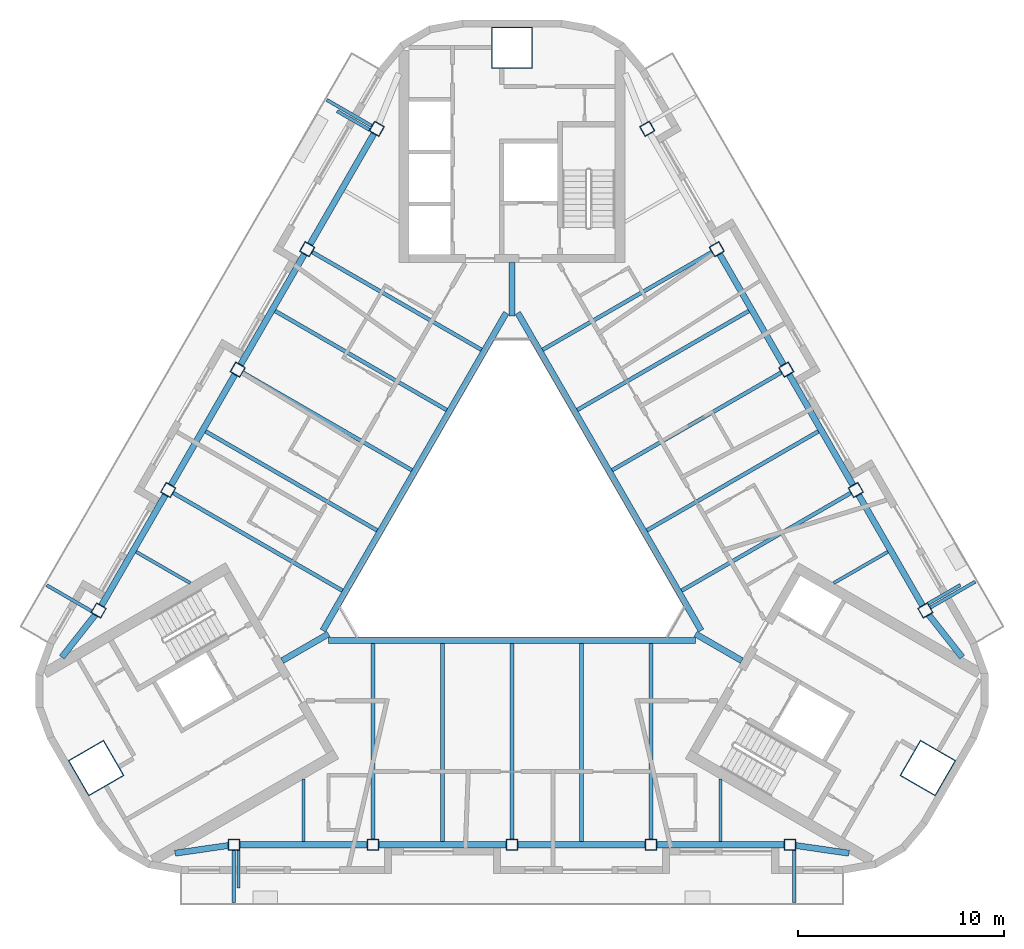
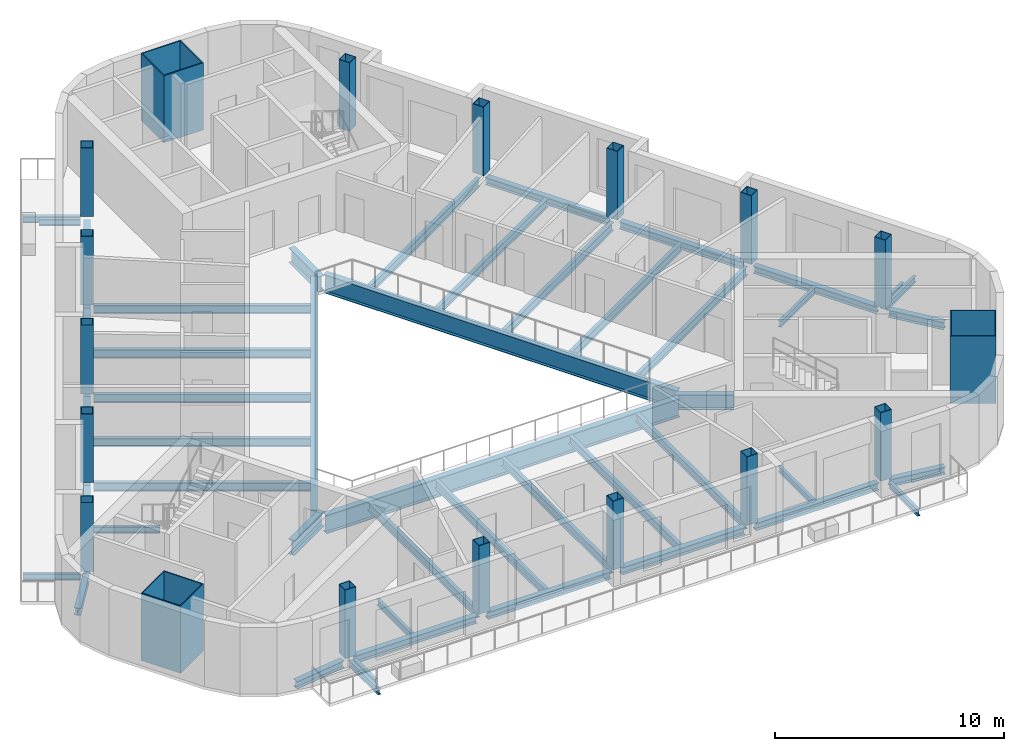
# One storey, part 1 of 12: 48 beams, 18 columns.
"""IFC4 building model written with IfcOpenShell, lengths in metres."""

from ifc_helpers import new_model, si_unit, direction, frame, origin, origin_2d, place, context, subcontext, project, spatial, rectangle, hollow_rectangle, i_section, extrude, boolean, halfspace, material, material_profile, profile_set, type_object, element, save


model = new_model("IFC4")

# Units and contexts
model_context = context("Model", 3, precision=1e-05, world=origin(), true_north=direction((0.0, 1.0)))
body_context = subcontext(model_context, "Body", "Model", "MODEL_VIEW")
ifc_project = project(units=[si_unit("LENGTHUNIT", "METRE"), si_unit("AREAUNIT", "SQUARE_METRE"), si_unit("VOLUMEUNIT", "CUBIC_METRE"), si_unit("PLANEANGLEUNIT", "RADIAN"), si_unit("MASSUNIT", "GRAM", prefix="KILO")], contexts=[model_context])

# Site, building, storey
site_placement = place(None, origin())
site = spatial("IfcSite", under=ifc_project, at=site_placement, CompositionType="ELEMENT")
building_placement = place(site_placement, origin())
building = spatial("IfcBuilding", under=site, at=building_placement, Name="Apuvela Tower Hotel", CompositionType="ELEMENT")
storey_placement = place(building_placement, frame((0.0, 0.0, 305.89990234375)))
storey = spatial("IfcBuildingStorey", under=building, at=storey_placement, Name="L76", CompositionType="ELEMENT", Elevation=305.89990234375)

# Columns
ifc_material_1 = material(Name="Steel S460", Category="steel")
ifc_material_profile_1 = material_profile(ifc_material_1, hollow_rectangle(XDim=2.0, YDim=2.0, WallThickness=0.050048828125, at=origin_2d()), Name="BOX 2000x2000x50")
ifc_material_2 = material(Name="Concrete C80/95", Category="concrete")
ifc_material_profile_2 = material_profile(ifc_material_2, rectangle(XDim=1.89990234375, YDim=1.89990234375, at=origin_2d()), Name="Concrete C80/95 infill")
ifc_profile_set_1 = profile_set([ifc_material_profile_1, ifc_material_profile_2], Name="Steel S460")
column_type_1 = type_object("IfcColumnType", Name="STR-MC mega column BOX 2000x2000x50", PredefinedType="COLUMN", material=ifc_profile_set_1)
for number, where, z_axis, x_axis, name in (
    (1, (0.0, 23.34130859375, 0.0), (0.0, 0.0, 1.0), (1.0, 0.0, 0.0), "Mega column MC4 N"),
    (2, (-20.214111328125, -11.670654296875, 0.0), (0.0, 0.0, 1.0), (-0.5, 0.866025403784, 0.0), "Mega column MC4 SW"),
    (3, (20.214111328125, -11.670654296875, 0.0), (0.0, 0.0, 1.0), (0.5, 0.866025403784, 0.0), "Mega column MC4 SE"),
):
    element("IfcColumn", number, at=place(storey_placement, frame(where, z_axis=z_axis, x_axis=x_axis)), inside=storey, type_object=column_type_1, Name=name, PredefinedType="COLUMN", context=body_context, shape_type="SweptSolid", body=[
        boolean("DIFFERENCE", extrude(hollow_rectangle(XDim=2.0, YDim=2.0, WallThickness=0.050048828125, at=origin_2d()), origin(), (0.0, 0.0, 1.0), 3.7001953125), halfspace(frame((0.0, 0.0, 3.5869140625), z_axis=(0.0, 0.0, 1.0), x_axis=(1.0, 0.0, 0.0)), False)),
    ])
ifc_material_profile_3 = material_profile(ifc_material_1, hollow_rectangle(XDim=0.550048828125, YDim=0.550048828125, WallThickness=0.02490234375, at=origin_2d()), Name="BOX 550x550x25")
ifc_material_profile_4 = material_profile(ifc_material_2, rectangle(XDim=0.5, YDim=0.5, at=origin_2d()), Name="Concrete C80/95 infill")
ifc_profile_set_2 = profile_set([ifc_material_profile_3, ifc_material_profile_4], Name="Steel S460")
column_type_2 = type_object("IfcColumnType", Name="STR-PC perimeter column BOX 550x550x25", PredefinedType="COLUMN", material=ifc_profile_set_2)
column_1_placement = place(storey_placement, frame((-13.517822265625, -15.39453125, 0.0), z_axis=(0.0, 0.0, 1.0), x_axis=(-1.0, 0.0, 0.0)))
element("IfcColumn", 4, at=column_1_placement, inside=storey, type_object=column_type_2, Name="Perimeter column C7 S1", PredefinedType="COLUMN", context=body_context, shape_type="SweptSolid", body=[
    boolean("DIFFERENCE", extrude(hollow_rectangle(XDim=0.550048828125, YDim=0.550048828125, WallThickness=0.02490234375, at=origin_2d()), origin(), (0.0, 0.0, 1.0), 3.7001953125), halfspace(frame((0.0, 0.0, 3.660400390625), z_axis=(0.0, 0.0, 1.0), x_axis=(1.0, 0.0, 0.0)), False)),
])
column_2_placement = place(storey_placement, frame((-6.7587890625, -15.39453125, 0.0), z_axis=(0.0, 0.0, 1.0), x_axis=(-1.0, 0.0, 0.0)))
element("IfcColumn", 5, at=column_2_placement, inside=storey, type_object=column_type_2, Name="Perimeter column C7 S2", PredefinedType="COLUMN", context=body_context, shape_type="SweptSolid", body=[
    boolean("DIFFERENCE", extrude(hollow_rectangle(XDim=0.550048828125, YDim=0.550048828125, WallThickness=0.02490234375, at=origin_2d()), origin(), (0.0, 0.0, 1.0), 3.7001953125), halfspace(frame((0.0, 0.0, 3.666259765625), z_axis=(0.0, 0.0, 1.0), x_axis=(1.0, 0.0, 0.0)), False)),
])
column_3_placement = place(storey_placement, frame((0.0, -15.39453125, 0.0), z_axis=(0.0, 0.0, 1.0), x_axis=(-1.0, 0.0, 0.0)))
element("IfcColumn", 6, at=column_3_placement, inside=storey, type_object=column_type_2, Name="Perimeter column C7 S3", PredefinedType="COLUMN", context=body_context, shape_type="SweptSolid", body=[
    boolean("DIFFERENCE", extrude(hollow_rectangle(XDim=0.550048828125, YDim=0.550048828125, WallThickness=0.02490234375, at=origin_2d()), origin(), (0.0, 0.0, 1.0), 3.7001953125), halfspace(frame((0.0, 0.0, 3.668701171875), z_axis=(0.0, 0.0, 1.0), x_axis=(1.0, 0.0, 0.0)), False)),
])
column_4_placement = place(storey_placement, frame((6.7587890625, -15.39453125, 0.0), z_axis=(0.0, 0.0, 1.0), x_axis=(-1.0, 0.0, 0.0)))
element("IfcColumn", 7, at=column_4_placement, inside=storey, type_object=column_type_2, Name="Perimeter column C7 S4", PredefinedType="COLUMN", context=body_context, shape_type="SweptSolid", body=[
    boolean("DIFFERENCE", extrude(hollow_rectangle(XDim=0.550048828125, YDim=0.550048828125, WallThickness=0.02490234375, at=origin_2d()), origin(), (0.0, 0.0, 1.0), 3.7001953125), halfspace(frame((0.0, 0.0, 3.666259765625), z_axis=(0.0, 0.0, 1.0), x_axis=(1.0, 0.0, 0.0)), False)),
])
for number, where, z_axis, x_axis, name in (
    (8, (13.517822265625, -15.39453125, 0.0), (0.0, 0.0, 1.0), (-1.0, 0.0, 0.0), "Perimeter column C7 S5"),
    (9, (20.091064453125, -4.009521484375, 0.0), (0.0, 0.0, 1.0), (-0.5, 0.866025403784, 0.0), "Perimeter column C7 NE1"),
):
    element("IfcColumn", number, at=place(storey_placement, frame(where, z_axis=z_axis, x_axis=x_axis)), inside=storey, type_object=column_type_2, Name=name, PredefinedType="COLUMN", context=body_context, shape_type="SweptSolid", body=[
        boolean("DIFFERENCE", extrude(hollow_rectangle(XDim=0.550048828125, YDim=0.550048828125, WallThickness=0.02490234375, at=origin_2d()), origin(), (0.0, 0.0, 1.0), 3.7001953125), halfspace(frame((0.0, 0.0, 3.660400390625), z_axis=(0.0, 0.0, 1.0), x_axis=(1.0, 0.0, 0.0)), False)),
    ])
column_5_placement = place(storey_placement, frame((16.71142578125, 1.843994140625, 0.0), z_axis=(0.0, 0.0, 1.0), x_axis=(-0.5, 0.866025403784, 0.0)))
element("IfcColumn", 10, at=column_5_placement, inside=storey, type_object=column_type_2, Name="Perimeter column C7 NE2", PredefinedType="COLUMN", context=body_context, shape_type="SweptSolid", body=[
    boolean("DIFFERENCE", extrude(hollow_rectangle(XDim=0.550048828125, YDim=0.550048828125, WallThickness=0.02490234375, at=origin_2d()), origin(), (0.0, 0.0, 1.0), 3.7001953125), halfspace(frame((0.0, 0.0, 3.666259765625), z_axis=(0.0, 0.0, 1.0), x_axis=(1.0, 0.0, 0.0)), False)),
])
column_6_placement = place(storey_placement, frame((13.33203125, 7.697265625, 0.0), z_axis=(0.0, 0.0, 1.0), x_axis=(-0.5, 0.866025403784, 0.0)))
element("IfcColumn", 11, at=column_6_placement, inside=storey, type_object=column_type_2, Name="Perimeter column C7 NE3", PredefinedType="COLUMN", context=body_context, shape_type="SweptSolid", body=[
    boolean("DIFFERENCE", extrude(hollow_rectangle(XDim=0.550048828125, YDim=0.550048828125, WallThickness=0.02490234375, at=origin_2d()), origin(), (0.0, 0.0, 1.0), 3.7001953125), halfspace(frame((0.0, 0.0, 3.668701171875), z_axis=(0.0, 0.0, 1.0), x_axis=(1.0, 0.0, 0.0)), False)),
])
column_7_placement = place(storey_placement, frame((9.95263671875, 13.550537109375, 0.0), z_axis=(0.0, 0.0, 1.0), x_axis=(-0.5, 0.866025403784, 0.0)))
element("IfcColumn", 12, at=column_7_placement, inside=storey, type_object=column_type_2, Name="Perimeter column C7 NE4", PredefinedType="COLUMN", context=body_context, shape_type="SweptSolid", body=[
    boolean("DIFFERENCE", extrude(hollow_rectangle(XDim=0.550048828125, YDim=0.550048828125, WallThickness=0.02490234375, at=origin_2d()), origin(), (0.0, 0.0, 1.0), 3.7001953125), halfspace(frame((0.0, 0.0, 3.666259765625), z_axis=(0.0, 0.0, 1.0), x_axis=(1.0, 0.0, 0.0)), False)),
])
for number, where, z_axis, x_axis, name in (
    (13, (6.5732421875, 19.404052734375, 0.0), (0.0, 0.0, 1.0), (-0.5, 0.866025403784, 0.0), "Perimeter column C7 NE5"),
    (14, (-6.5732421875, 19.404052734375, 0.0), (0.0, 0.0, 1.0), (0.5, 0.866025403784, 0.0), "Perimeter column C7 NW1"),
):
    element("IfcColumn", number, at=place(storey_placement, frame(where, z_axis=z_axis, x_axis=x_axis)), inside=storey, type_object=column_type_2, Name=name, PredefinedType="COLUMN", context=body_context, shape_type="SweptSolid", body=[
        boolean("DIFFERENCE", extrude(hollow_rectangle(XDim=0.550048828125, YDim=0.550048828125, WallThickness=0.02490234375, at=origin_2d()), origin(), (0.0, 0.0, 1.0), 3.7001953125), halfspace(frame((0.0, 0.0, 3.660400390625), z_axis=(0.0, 0.0, 1.0), x_axis=(1.0, 0.0, 0.0)), False)),
    ])
column_8_placement = place(storey_placement, frame((-9.95263671875, 13.550537109375, 0.0), z_axis=(0.0, 0.0, 1.0), x_axis=(0.5, 0.866025403784, 0.0)))
element("IfcColumn", 15, at=column_8_placement, inside=storey, type_object=column_type_2, Name="Perimeter column C7 NW2", PredefinedType="COLUMN", context=body_context, shape_type="SweptSolid", body=[
    boolean("DIFFERENCE", extrude(hollow_rectangle(XDim=0.550048828125, YDim=0.550048828125, WallThickness=0.02490234375, at=origin_2d()), origin(), (0.0, 0.0, 1.0), 3.7001953125), halfspace(frame((0.0, 0.0, 3.666259765625), z_axis=(0.0, 0.0, 1.0), x_axis=(1.0, 0.0, 0.0)), False)),
])
column_9_placement = place(storey_placement, frame((-13.33203125, 7.697265625, 0.0), z_axis=(0.0, 0.0, 1.0), x_axis=(0.5, 0.866025403784, 0.0)))
element("IfcColumn", 16, at=column_9_placement, inside=storey, type_object=column_type_2, Name="Perimeter column C7 NW3", PredefinedType="COLUMN", context=body_context, shape_type="SweptSolid", body=[
    boolean("DIFFERENCE", extrude(hollow_rectangle(XDim=0.550048828125, YDim=0.550048828125, WallThickness=0.02490234375, at=origin_2d()), origin(), (0.0, 0.0, 1.0), 3.7001953125), halfspace(frame((0.0, 0.0, 3.668701171875), z_axis=(0.0, 0.0, 1.0), x_axis=(1.0, 0.0, 0.0)), False)),
])
column_10_placement = place(storey_placement, frame((-16.71142578125, 1.843994140625, 0.0), z_axis=(0.0, 0.0, 1.0), x_axis=(0.5, 0.866025403784, 0.0)))
element("IfcColumn", 17, at=column_10_placement, inside=storey, type_object=column_type_2, Name="Perimeter column C7 NW4", PredefinedType="COLUMN", context=body_context, shape_type="SweptSolid", body=[
    boolean("DIFFERENCE", extrude(hollow_rectangle(XDim=0.550048828125, YDim=0.550048828125, WallThickness=0.02490234375, at=origin_2d()), origin(), (0.0, 0.0, 1.0), 3.7001953125), halfspace(frame((0.0, 0.0, 3.666259765625), z_axis=(0.0, 0.0, 1.0), x_axis=(1.0, 0.0, 0.0)), False)),
])
column_11_placement = place(storey_placement, frame((-20.091064453125, -4.009521484375, 0.0), z_axis=(0.0, 0.0, 1.0), x_axis=(0.5, 0.866025403784, 0.0)))
element("IfcColumn", 18, at=column_11_placement, inside=storey, type_object=column_type_2, Name="Perimeter column C7 NW5", PredefinedType="COLUMN", context=body_context, shape_type="SweptSolid", body=[
    boolean("DIFFERENCE", extrude(hollow_rectangle(XDim=0.550048828125, YDim=0.550048828125, WallThickness=0.02490234375, at=origin_2d()), origin(), (0.0, 0.0, 1.0), 3.7001953125), halfspace(frame((0.0, 0.0, 3.660400390625), z_axis=(0.0, 0.0, 1.0), x_axis=(1.0, 0.0, 0.0)), False)),
])

# Beams
ifc_material_3 = material(Name="Steel S355", Category="steel")
ifc_material_profile_5 = material_profile(ifc_material_3, i_section(OverallWidth=0.159912109375, OverallDepth=0.330078125, WebThickness=0.007568359375, FlangeThickness=0.011474609375, at=origin_2d()), Name="IPE 330")
ifc_profile_set_3 = profile_set([ifc_material_profile_5], Name="Steel S355")
beam_type_1 = type_object("IfcBeamType", Name="ENV-BALCONY-BEAM-IPE330", PredefinedType="BEAM", material=ifc_profile_set_3)
beam_1_placement = place(storey_placement, frame((-13.517822265625, -15.669677734375, -0.31494140625), z_axis=(0.0, -1.0, 0.0), x_axis=(1.0, 0.0, 0.0)))
element("IfcBeam", 19, at=beam_1_placement, inside=storey, type_object=beam_type_1, Name="Balcony cantilever beam S1 L76", PredefinedType="BEAM", context=body_context, shape_type="SweptSolid", body=[
    extrude(i_section(OverallWidth=0.159912109375, OverallDepth=0.330078125, WebThickness=0.007568359375, FlangeThickness=0.011474609375, at=origin_2d()), origin(), (0.0, 0.0, 1.0), 2.52490234375),
])
beam_2_placement = place(storey_placement, frame((-13.2978515625, -15.669677734375, -0.31494140625), z_axis=(0.0, -1.0, 0.0), x_axis=(1.0, 0.0, 0.0)))
element("IfcBeam", 20, at=beam_2_placement, inside=storey, type_object=beam_type_1, Name="Balcony cantilever beam S2 L76", PredefinedType="BEAM", context=body_context, shape_type="SweptSolid", body=[
    extrude(i_section(OverallWidth=0.159912109375, OverallDepth=0.330078125, WebThickness=0.007568359375, FlangeThickness=0.011474609375, at=origin_2d()), origin(), (0.0, 0.0, 1.0), 1.824951171875),
])
for number, where, z_axis, x_axis, name in (
    (21, (13.7177734375, -15.669677734375, -0.31494140625), (0.0, -1.0, 0.0), (1.0, 0.0, 0.0), "Balcony cantilever beam S3 L76"),
    (22, (20.3291015625, -3.8720703125, -0.31494140625), (0.866039067339, 0.499976333282, 0.0), (-0.499976333282, 0.866039067339, 0.0), "Balcony cantilever beam NE1 L76"),
):
    element("IfcBeam", number, at=place(storey_placement, frame(where, z_axis=z_axis, x_axis=x_axis)), inside=storey, type_object=beam_type_1, Name=name, PredefinedType="BEAM", context=body_context, shape_type="SweptSolid", body=[
        extrude(i_section(OverallWidth=0.159912109375, OverallDepth=0.330078125, WebThickness=0.007568359375, FlangeThickness=0.011474609375, at=origin_2d()), origin(), (0.0, 0.0, 1.0), 2.52490234375),
    ])
beam_3_placement = place(storey_placement, frame((20.218994140625, -3.681396484375, -0.31494140625), z_axis=(0.866011828767, 0.500023511883, 0.0), x_axis=(-0.500023511883, 0.866011828767, 0.0)))
element("IfcBeam", 23, at=beam_3_placement, inside=storey, type_object=beam_type_1, Name="Balcony cantilever beam NE2 L76", PredefinedType="BEAM", context=body_context, shape_type="SweptSolid", body=[
    extrude(i_section(OverallWidth=0.159912109375, OverallDepth=0.330078125, WebThickness=0.007568359375, FlangeThickness=0.011474609375, at=origin_2d()), origin(), (0.0, 0.0, 1.0), 1.8251953125),
])
beam_4_placement = place(storey_placement, frame((-6.811279296875, 19.54150390625, -0.31494140625), z_axis=(-0.866039067339, 0.499976333282, 0.0), x_axis=(-0.499976333282, -0.866039067339, 0.0)))
element("IfcBeam", 24, at=beam_4_placement, inside=storey, type_object=beam_type_1, Name="Balcony cantilever beam NW1 L76", PredefinedType="BEAM", context=body_context, shape_type="SweptSolid", body=[
    extrude(i_section(OverallWidth=0.159912109375, OverallDepth=0.330078125, WebThickness=0.007568359375, FlangeThickness=0.011474609375, at=origin_2d()), origin(), (0.0, 0.0, 1.0), 2.52490234375),
])
beam_5_placement = place(storey_placement, frame((-6.92138671875, 19.35107421875, -0.31494140625), z_axis=(-0.866036312054, 0.499981105847, 0.0), x_axis=(-0.499981105847, -0.866036312054, 0.0)))
element("IfcBeam", 25, at=beam_5_placement, inside=storey, type_object=beam_type_1, Name="Balcony cantilever beam NW2 L76", PredefinedType="BEAM", context=body_context, shape_type="SweptSolid", body=[
    extrude(i_section(OverallWidth=0.159912109375, OverallDepth=0.330078125, WebThickness=0.007568359375, FlangeThickness=0.011474609375, at=origin_2d()), origin(), (0.0, 0.0, 1.0), 1.82470703125),
])
beam_6_placement = place(storey_placement, frame((-20.42919921875, -4.045166015625, -0.31494140625), z_axis=(-0.866014894461, 0.50001820224, 0.0), x_axis=(-0.50001820224, -0.866014894461, 0.0)))
element("IfcBeam", 26, at=beam_6_placement, inside=storey, type_object=beam_type_1, Name="Balcony cantilever beam NW3 L76", PredefinedType="BEAM", context=body_context, shape_type="SweptSolid", body=[
    extrude(i_section(OverallWidth=0.159912109375, OverallDepth=0.330078125, WebThickness=0.007568359375, FlangeThickness=0.011474609375, at=origin_2d()), origin(), (0.0, 0.0, 1.0), 2.52490234375),
])
ifc_material_profile_6 = material_profile(ifc_material_3, i_section(OverallWidth=0.159912109375, OverallDepth=0.330078125, WebThickness=0.007568359375, FlangeThickness=0.011474609375, at=origin_2d()), Name="IPE 330")
ifc_profile_set_4 = profile_set([ifc_material_profile_6], Name="Steel S355")
beam_type_2 = type_object("IfcBeamType", Name="STR-B floor beam IPE 330", PredefinedType="BEAM", material=ifc_profile_set_4)
for number, where, z_axis, x_axis, name in (
    (27, (18.271240234375, -1.15771484375, -0.31494140625), (-0.86601576024, -0.500016702737, 0.0), (0.500016702737, -0.86601576024, 0.0), "Floor beam B1 NE2"),
    (28, (-18.271240234375, -1.15771484375, -0.31494140625), (0.86601576024, -0.500016702737, 0.0), (0.500016702737, 0.86601576024, 0.0), "Floor beam B1 NW8"),
    (29, (-10.13818359375, -15.24462890625, -0.31494140625), (0.0, 1.0, 0.0), (-1.0, 0.0, 0.0), "Floor beam B1 S2"),
    (30, (10.13818359375, -15.24462890625, -0.31494140625), (0.0, 1.0, 0.0), (-1.0, 0.0, 0.0), "Floor beam B1 S8"),
):
    element("IfcBeam", number, at=place(storey_placement, frame(where, z_axis=z_axis, x_axis=x_axis)), inside=storey, type_object=beam_type_2, Name=name, PredefinedType="BEAM", context=body_context, shape_type="SweptSolid", body=[
        extrude(i_section(OverallWidth=0.159912109375, OverallDepth=0.330078125, WebThickness=0.007568359375, FlangeThickness=0.011474609375, at=origin_2d()), origin(), (0.0, 0.0, 1.0), 3.04052734375),
    ])
ifc_material_profile_7 = material_profile(ifc_material_3, i_section(OverallWidth=0.18994140625, OverallDepth=0.449951171875, WebThickness=0.009521484375, FlangeThickness=0.0146484375, at=origin_2d()), Name="IPE 450")
ifc_profile_set_5 = profile_set([ifc_material_profile_7], Name="Steel S355")
beam_type_3 = type_object("IfcBeamType", Name="STR-B floor beam IPE 450", PredefinedType="BEAM", material=ifc_profile_set_5)
beam_7_placement = place(storey_placement, frame((16.473388671875, 1.706298828125, -0.375), z_axis=(-0.866025092416, -0.500000539305, 0.0), x_axis=(0.500000539305, -0.866025092416, 0.0)))
element("IfcBeam", 31, at=beam_7_placement, inside=storey, type_object=beam_type_3, Name="Floor beam B9 NE3", PredefinedType="BEAM", context=body_context, shape_type="SweptSolid", body=[
    extrude(i_section(OverallWidth=0.18994140625, OverallDepth=0.449951171875, WebThickness=0.009521484375, FlangeThickness=0.0146484375, at=origin_2d()), origin(), (0.0, 0.0, 1.0), 9.49951171875),
])
beam_8_placement = place(storey_placement, frame((14.891845703125, 4.695556640625, -0.375), z_axis=(-0.866022528012, -0.50000498095, 0.0), x_axis=(0.50000498095, -0.866022528012, 0.0)))
element("IfcBeam", 32, at=beam_8_placement, inside=storey, type_object=beam_type_3, Name="Floor beam B9 NE4", PredefinedType="BEAM", context=body_context, shape_type="SweptSolid", body=[
    extrude(i_section(OverallWidth=0.18994140625, OverallDepth=0.449951171875, WebThickness=0.009521484375, FlangeThickness=0.0146484375, at=origin_2d()), origin(), (0.0, 0.0, 1.0), 9.62451171875),
])
beam_9_placement = place(storey_placement, frame((13.093994140625, 7.559814453125, -0.375), z_axis=(-0.866025092416, -0.500000539305, 0.0), x_axis=(0.500000539305, -0.866025092416, 0.0)))
element("IfcBeam", 33, at=beam_9_placement, inside=storey, type_object=beam_type_3, Name="Floor beam B9 NE5", PredefinedType="BEAM", context=body_context, shape_type="SweptSolid", body=[
    extrude(i_section(OverallWidth=0.18994140625, OverallDepth=0.449951171875, WebThickness=0.009521484375, FlangeThickness=0.0146484375, at=origin_2d()), origin(), (0.0, 0.0, 1.0), 9.49951171875),
])
beam_10_placement = place(storey_placement, frame((11.512451171875, 10.549072265625, -0.375), z_axis=(-0.866028869629, -0.499993996932, 0.0), x_axis=(0.499993996932, -0.866028869629, 0.0)))
element("IfcBeam", 34, at=beam_10_placement, inside=storey, type_object=beam_type_3, Name="Floor beam B9 NE6", PredefinedType="BEAM", context=body_context, shape_type="SweptSolid", body=[
    extrude(i_section(OverallWidth=0.18994140625, OverallDepth=0.449951171875, WebThickness=0.009521484375, FlangeThickness=0.0146484375, at=origin_2d()), origin(), (0.0, 0.0, 1.0), 9.62451171875),
])
for number, where, z_axis, x_axis, name in (
    (35, (9.714599609375, 13.4130859375, -0.375), (-0.866031517306, -0.49998941092, 0.0), (0.49998941092, -0.866031517306, 0.0), "Floor beam B9 NE7"),
    (36, (-9.714599609375, 13.4130859375, -0.375), (0.866031517306, -0.49998941092, 0.0), (0.49998941092, 0.866031517306, 0.0), "Floor beam B9 NW3"),
):
    element("IfcBeam", number, at=place(storey_placement, frame(where, z_axis=z_axis, x_axis=x_axis)), inside=storey, type_object=beam_type_3, Name=name, PredefinedType="BEAM", context=body_context, shape_type="SweptSolid", body=[
        extrude(i_section(OverallWidth=0.18994140625, OverallDepth=0.449951171875, WebThickness=0.009521484375, FlangeThickness=0.0146484375, at=origin_2d()), origin(), (0.0, 0.0, 1.0), 9.499755859375),
    ])
beam_11_placement = place(storey_placement, frame((-11.512451171875, 10.549072265625, -0.375), z_axis=(0.866028869629, -0.499993996932, 0.0), x_axis=(0.499993996932, 0.866028869629, 0.0)))
element("IfcBeam", 37, at=beam_11_placement, inside=storey, type_object=beam_type_3, Name="Floor beam B9 NW4", PredefinedType="BEAM", context=body_context, shape_type="SweptSolid", body=[
    extrude(i_section(OverallWidth=0.18994140625, OverallDepth=0.449951171875, WebThickness=0.009521484375, FlangeThickness=0.0146484375, at=origin_2d()), origin(), (0.0, 0.0, 1.0), 9.62451171875),
])
beam_12_placement = place(storey_placement, frame((-13.093994140625, 7.559814453125, -0.375), z_axis=(0.866025092416, -0.500000539305, 0.0), x_axis=(0.500000539305, 0.866025092416, 0.0)))
element("IfcBeam", 38, at=beam_12_placement, inside=storey, type_object=beam_type_3, Name="Floor beam B9 NW5", PredefinedType="BEAM", context=body_context, shape_type="SweptSolid", body=[
    extrude(i_section(OverallWidth=0.18994140625, OverallDepth=0.449951171875, WebThickness=0.009521484375, FlangeThickness=0.0146484375, at=origin_2d()), origin(), (0.0, 0.0, 1.0), 9.49951171875),
])
beam_13_placement = place(storey_placement, frame((-14.891845703125, 4.695556640625, -0.375), z_axis=(0.866022528012, -0.50000498095, 0.0), x_axis=(0.50000498095, 0.866022528012, 0.0)))
element("IfcBeam", 39, at=beam_13_placement, inside=storey, type_object=beam_type_3, Name="Floor beam B9 NW6", PredefinedType="BEAM", context=body_context, shape_type="SweptSolid", body=[
    extrude(i_section(OverallWidth=0.18994140625, OverallDepth=0.449951171875, WebThickness=0.009521484375, FlangeThickness=0.0146484375, at=origin_2d()), origin(), (0.0, 0.0, 1.0), 9.62451171875),
])
for number, where, z_axis, x_axis, name in (
    (40, (-16.473388671875, 1.706298828125, -0.375), (0.866025092416, -0.500000539305, 0.0), (0.500000539305, 0.866025092416, 0.0), "Floor beam B9 NW7"),
    (41, (-6.7587890625, -15.11962890625, -0.375), (0.0, 1.0, 0.0), (-1.0, 0.0, 0.0), "Floor beam B9 S3"),
):
    element("IfcBeam", number, at=place(storey_placement, frame(where, z_axis=z_axis, x_axis=x_axis)), inside=storey, type_object=beam_type_3, Name=name, PredefinedType="BEAM", context=body_context, shape_type="SweptSolid", body=[
        extrude(i_section(OverallWidth=0.18994140625, OverallDepth=0.449951171875, WebThickness=0.009521484375, FlangeThickness=0.0146484375, at=origin_2d()), origin(), (0.0, 0.0, 1.0), 9.49951171875),
    ])
beam_14_placement = place(storey_placement, frame((-3.37939453125, -15.24462890625, -0.375), z_axis=(0.0, 1.0, 0.0), x_axis=(-1.0, 0.0, 0.0)))
element("IfcBeam", 42, at=beam_14_placement, inside=storey, type_object=beam_type_3, Name="Floor beam B9 S4", PredefinedType="BEAM", context=body_context, shape_type="SweptSolid", body=[
    extrude(i_section(OverallWidth=0.18994140625, OverallDepth=0.449951171875, WebThickness=0.009521484375, FlangeThickness=0.0146484375, at=origin_2d()), origin(), (0.0, 0.0, 1.0), 9.62451171875),
])
beam_15_placement = place(storey_placement, frame((0.0, -15.11962890625, -0.375), z_axis=(0.0, 1.0, 0.0), x_axis=(-1.0, 0.0, 0.0)))
element("IfcBeam", 43, at=beam_15_placement, inside=storey, type_object=beam_type_3, Name="Floor beam B9 S5", PredefinedType="BEAM", context=body_context, shape_type="SweptSolid", body=[
    extrude(i_section(OverallWidth=0.18994140625, OverallDepth=0.449951171875, WebThickness=0.009521484375, FlangeThickness=0.0146484375, at=origin_2d()), origin(), (0.0, 0.0, 1.0), 9.49951171875),
])
beam_16_placement = place(storey_placement, frame((3.37939453125, -15.24462890625, -0.375), z_axis=(0.0, 1.0, 0.0), x_axis=(-1.0, 0.0, 0.0)))
element("IfcBeam", 44, at=beam_16_placement, inside=storey, type_object=beam_type_3, Name="Floor beam B9 S6", PredefinedType="BEAM", context=body_context, shape_type="SweptSolid", body=[
    extrude(i_section(OverallWidth=0.18994140625, OverallDepth=0.449951171875, WebThickness=0.009521484375, FlangeThickness=0.0146484375, at=origin_2d()), origin(), (0.0, 0.0, 1.0), 9.62451171875),
])
beam_17_placement = place(storey_placement, frame((6.7587890625, -15.11962890625, -0.375), z_axis=(0.0, 1.0, 0.0), x_axis=(-1.0, 0.0, 0.0)))
element("IfcBeam", 45, at=beam_17_placement, inside=storey, type_object=beam_type_3, Name="Floor beam B9 S7", PredefinedType="BEAM", context=body_context, shape_type="SweptSolid", body=[
    extrude(i_section(OverallWidth=0.18994140625, OverallDepth=0.449951171875, WebThickness=0.009521484375, FlangeThickness=0.0146484375, at=origin_2d()), origin(), (0.0, 0.0, 1.0), 9.49951171875),
])
ifc_material_profile_8 = material_profile(ifc_material_3, i_section(OverallWidth=0.300048828125, OverallDepth=0.989990234375, WebThickness=0.0166015625, FlangeThickness=0.031005859375, at=origin_2d()), Name="HE 1000 A")
ifc_profile_set_6 = profile_set([ifc_material_profile_8], Name="Steel S355")
beam_type_4 = type_object("IfcBeamType", Name="STR-G atrium ring girder HE 1000 A", PredefinedType="BEAM", material=ifc_profile_set_6)
beam_18_placement = place(storey_placement, frame((-0.27978515625, 10.455078125, -0.64501953125), z_axis=(-0.500006541319, -0.866021627119, 0.0), x_axis=(0.866021627119, -0.500006541319, 0.0)))
element("IfcBeam", 46, at=beam_18_placement, inside=storey, type_object=beam_type_4, Name="Atrium ring girder G3 N-SW", PredefinedType="BEAM", context=body_context, shape_type="SweptSolid", body=[
    extrude(i_section(OverallWidth=0.300048828125, OverallDepth=0.989990234375, WebThickness=0.0166015625, FlangeThickness=0.031005859375, at=origin_2d()), origin(), (0.0, 0.0, 1.0), 17.828857421875),
])
beam_19_placement = place(storey_placement, frame((-8.91455078125, -5.469970703125, -0.64501953125), z_axis=(1.0, 0.0, 0.0), x_axis=(0.0, 1.0, 0.0)))
element("IfcBeam", 47, at=beam_19_placement, inside=storey, type_object=beam_type_4, Name="Atrium ring girder G3 SW-SE", PredefinedType="BEAM", context=body_context, shape_type="SweptSolid", body=[
    extrude(i_section(OverallWidth=0.300048828125, OverallDepth=0.989990234375, WebThickness=0.0166015625, FlangeThickness=0.031005859375, at=origin_2d()), origin(), (0.0, 0.0, 1.0), 17.8291015625),
])
beam_20_placement = place(storey_placement, frame((9.1943359375, -4.985107421875, -0.64501953125), z_axis=(-0.500006541319, 0.866021627119, 0.0), x_axis=(-0.866021627119, -0.500006541319, 0.0)))
element("IfcBeam", 48, at=beam_20_placement, inside=storey, type_object=beam_type_4, Name="Atrium ring girder G3 SE-N", PredefinedType="BEAM", context=body_context, shape_type="SweptSolid", body=[
    extrude(i_section(OverallWidth=0.300048828125, OverallDepth=0.989990234375, WebThickness=0.0166015625, FlangeThickness=0.031005859375, at=origin_2d()), origin(), (0.0, 0.0, 1.0), 17.828857421875),
])
ifc_material_profile_9 = material_profile(ifc_material_3, i_section(OverallWidth=0.300048828125, OverallDepth=0.800048828125, WebThickness=0.017578125, FlangeThickness=0.032958984375, at=origin_2d()), Name="HE 800 B")
ifc_profile_set_7 = profile_set([ifc_material_profile_9], Name="Steel S355")
beam_type_5 = type_object("IfcBeamType", Name="STR-GT core tie beam HE 800 B", PredefinedType="BEAM", material=ifc_profile_set_7)
for number, where, z_axis, x_axis, name in (
    (49, (0.0, 12.89990234375, -0.5498046875), (0.0, -1.0, 0.0), (1.0, 0.0, 0.0), "Core tie beam GT1 N"),
    (50, (-11.171630859375, -6.449951171875, -0.5498046875), (0.865997922154, 0.500047596559, 0.0), (-0.500047596559, 0.865997922154, 0.0), "Core tie beam GT1 SW"),
    (51, (11.171630859375, -6.449951171875, -0.5498046875), (-0.865997922154, 0.500047596559, 0.0), (-0.500047596559, -0.865997922154, 0.0), "Core tie beam GT1 SE"),
):
    element("IfcBeam", number, at=place(storey_placement, frame(where, z_axis=z_axis, x_axis=x_axis)), inside=storey, type_object=beam_type_5, Name=name, PredefinedType="BEAM", context=body_context, shape_type="SweptSolid", body=[
        extrude(i_section(OverallWidth=0.300048828125, OverallDepth=0.800048828125, WebThickness=0.017578125, FlangeThickness=0.032958984375, at=origin_2d()), origin(), (0.0, 0.0, 1.0), 2.599853515625),
    ])
ifc_material_profile_10 = material_profile(ifc_material_3, i_section(OverallWidth=0.300048828125, OverallDepth=0.389892578125, WebThickness=0.010986328125, FlangeThickness=0.01904296875, at=origin_2d()), Name="HE 400 A")
ifc_profile_set_8 = profile_set([ifc_material_profile_10], Name="Steel S355")
beam_type_6 = type_object("IfcBeamType", Name="STR-SB spandrel beam HE 400 A", PredefinedType="SPANDREL", material=ifc_profile_set_8)
for number, where, z_axis, x_axis, name in (
    (52, (-13.242919921875, -15.39453125, -0.344970703125), (1.0, 0.0, 0.0), (0.0, 1.0, 0.0), "Spandrel beam SB4 S1"),
    (53, (-6.48388671875, -15.39453125, -0.344970703125), (1.0, 0.0, 0.0), (0.0, 1.0, 0.0), "Spandrel beam SB4 S2"),
    (54, (0.27490234375, -15.39453125, -0.344970703125), (1.0, 0.0, 0.0), (0.0, 1.0, 0.0), "Spandrel beam SB4 S3"),
    (55, (7.033935546875, -15.39453125, -0.344970703125), (1.0, 0.0, 0.0), (0.0, 1.0, 0.0), "Spandrel beam SB4 S4"),
):
    element("IfcBeam", number, at=place(storey_placement, frame(where, z_axis=z_axis, x_axis=x_axis)), inside=storey, type_object=beam_type_6, Name=name, PredefinedType="SPANDREL", context=body_context, shape_type="SweptSolid", body=[
        extrude(i_section(OverallWidth=0.300048828125, OverallDepth=0.389892578125, WebThickness=0.010986328125, FlangeThickness=0.01904296875, at=origin_2d()), origin(), (0.0, 0.0, 1.0), 6.208984375),
    ])
for number, where, z_axis, x_axis, name in (
    (56, (19.95361328125, -3.771240234375, -0.344970703125), (-0.500012907384, 0.866017951575, 0.0), (-0.866017951575, -0.500012907384, 0.0), "Spandrel beam SB4 NE1"),
    (57, (16.573974609375, 2.08203125, -0.344970703125), (-0.500012907384, 0.866017951575, 0.0), (-0.866017951575, -0.500012907384, 0.0), "Spandrel beam SB4 NE2"),
):
    element("IfcBeam", number, at=place(storey_placement, frame(where, z_axis=z_axis, x_axis=x_axis)), inside=storey, type_object=beam_type_6, Name=name, PredefinedType="SPANDREL", context=body_context, shape_type="SweptSolid", body=[
        extrude(i_section(OverallWidth=0.300048828125, OverallDepth=0.389892578125, WebThickness=0.010986328125, FlangeThickness=0.01904296875, at=origin_2d()), origin(), (0.0, 0.0, 1.0), 6.208740234375),
    ])
for number, where, z_axis, x_axis, name in (
    (58, (13.194580078125, 7.935302734375, -0.344970703125), (-0.499995880841, 0.866027781969, 0.0), (-0.866027781969, -0.499995880841, 0.0), "Spandrel beam SB4 NE3"),
    (59, (-6.710693359375, 19.166015625, -0.344970703125), (-0.499995880841, -0.866027781969, 0.0), (0.866027781969, -0.499995880841, 0.0), "Spandrel beam SB4 NW1"),
    (60, (-10.090087890625, 13.3125, -0.344970703125), (-0.499995880841, -0.866027781969, 0.0), (0.866027781969, -0.499995880841, 0.0), "Spandrel beam SB4 NW2"),
):
    element("IfcBeam", number, at=place(storey_placement, frame(where, z_axis=z_axis, x_axis=x_axis)), inside=storey, type_object=beam_type_6, Name=name, PredefinedType="SPANDREL", context=body_context, shape_type="SweptSolid", body=[
        extrude(i_section(OverallWidth=0.300048828125, OverallDepth=0.389892578125, WebThickness=0.010986328125, FlangeThickness=0.01904296875, at=origin_2d()), origin(), (0.0, 0.0, 1.0), 6.208984375),
    ])
for number, where, z_axis, x_axis, name in (
    (61, (-13.469482421875, 7.458984375, -0.344970703125), (-0.500012907384, -0.866017951575, 0.0), (0.866017951575, -0.500012907384, 0.0), "Spandrel beam SB4 NW3"),
    (62, (-16.84912109375, 1.605712890625, -0.344970703125), (-0.500012907384, -0.866017951575, 0.0), (0.866017951575, -0.500012907384, 0.0), "Spandrel beam SB4 NW4"),
):
    element("IfcBeam", number, at=place(storey_placement, frame(where, z_axis=z_axis, x_axis=x_axis)), inside=storey, type_object=beam_type_6, Name=name, PredefinedType="SPANDREL", context=body_context, shape_type="SweptSolid", body=[
        extrude(i_section(OverallWidth=0.300048828125, OverallDepth=0.389892578125, WebThickness=0.010986328125, FlangeThickness=0.01904296875, at=origin_2d()), origin(), (0.0, 0.0, 1.0), 6.208740234375),
    ])
for number, where, z_axis, x_axis, name in (
    (63, (-13.792724609375, -15.434326171875, -0.344970703125), (-0.989697814145, -0.143172052706, 0.0), (0.143172052706, -0.989697814145, 0.0), "Spandrel beam SB4 S1-SW"),
    (64, (13.792724609375, -15.434326171875, -0.344970703125), (0.989697814145, -0.143172052706, 0.0), (0.143172052706, 0.989697814145, 0.0), "Spandrel beam SB4 S5-SE"),
    (65, (20.262939453125, -4.227783203125, -0.344970703125), (0.618826852497, -0.785527419399, 0.0), (0.785527419399, 0.618826852497, 0.0), "Spandrel beam SB4 NE1-SE"),
    (66, (-20.262939453125, -4.227783203125, -0.344970703125), (-0.618826852497, -0.785527419399, 0.0), (0.785527419399, -0.618826852497, 0.0), "Spandrel beam SB4 NW5-SW"),
):
    element("IfcBeam", number, at=place(storey_placement, frame(where, z_axis=z_axis, x_axis=x_axis)), inside=storey, type_object=beam_type_6, Name=name, PredefinedType="SPANDREL", context=body_context, shape_type="SweptSolid", body=[
        extrude(i_section(OverallWidth=0.300048828125, OverallDepth=0.389892578125, WebThickness=0.010986328125, FlangeThickness=0.01904296875, at=origin_2d()), origin(), (0.0, 0.0, 1.0), 2.61572265625),
    ])

save(model, "model.ifc")
